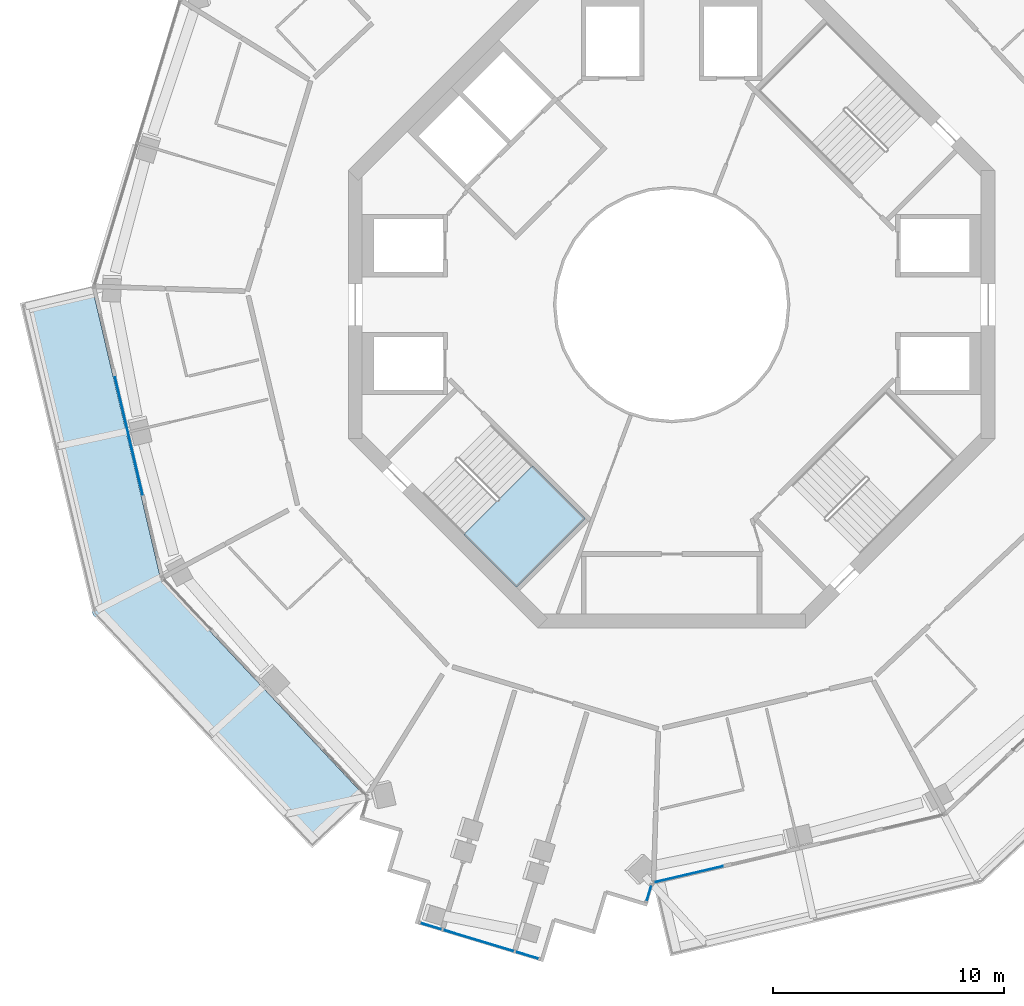
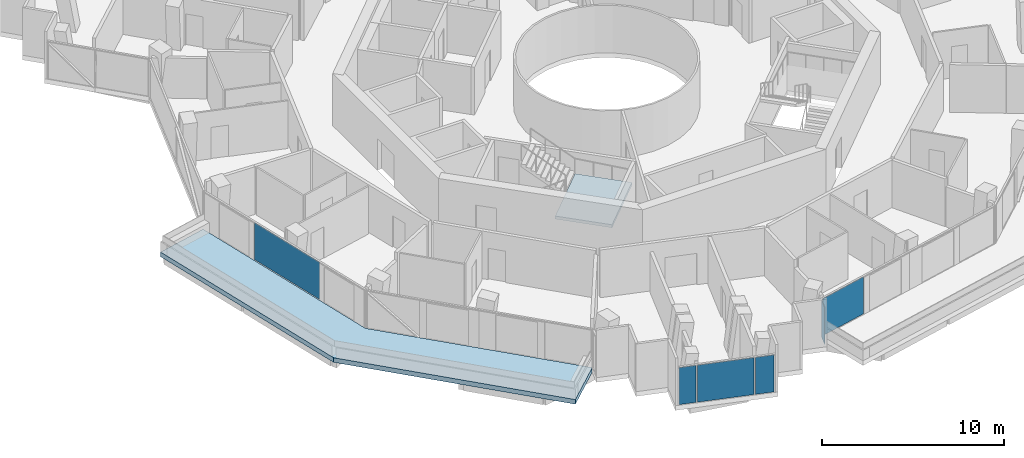
# One storey, part 12 of 24: 6 plates, 2 slabs, 5 elements without a shape of their own.
"""IFC4 building model written with IfcOpenShell, lengths in metres."""

from ifc_helpers import new_model, si_unit, direction, frame, origin, origin_2d, place, context, subcontext, project, spatial, polyline, rectangle, outline, extrude, material, layer, layer_set, type_object, element, aggregate, save


model = new_model("IFC4")

# Units and contexts
model_context = context("Model", 3, precision=1e-05, world=origin(), true_north=direction((0.0, 1.0)))
body_context = subcontext(model_context, "Body", "Model", "MODEL_VIEW")
ifc_project = project(units=[si_unit("LENGTHUNIT", "METRE"), si_unit("AREAUNIT", "SQUARE_METRE"), si_unit("VOLUMEUNIT", "CUBIC_METRE"), si_unit("PLANEANGLEUNIT", "RADIAN"), si_unit("MASSUNIT", "GRAM", prefix="KILO")], contexts=[model_context])

# Site, building, storey
site_placement = place(None, origin())
site = spatial("IfcSite", under=ifc_project, at=site_placement, CompositionType="ELEMENT")
building_placement = place(site_placement, origin())
building = spatial("IfcBuilding", under=site, at=building_placement, Name="Verdalira Terraces Hotel", CompositionType="ELEMENT")
storey_placement = place(building_placement, frame((0.0, 0.0, 209.0)))
storey = spatial("IfcBuildingStorey", under=building, at=storey_placement, Name="L51", CompositionType="ELEMENT", Elevation=209.0)

# Slab
ifc_material_1 = material(Name="Precast concrete C40/50", Category="concrete")
ifc_layer_1 = layer(ifc_material_1, 0.31005859375)
ifc_layer_set_1 = layer_set([ifc_layer_1], Name="Balcony deck 310")
slab_type_1 = type_object("IfcSlabType", Name="Balcony deck 310", PredefinedType="FLOOR", material=ifc_layer_set_1)
slab_1_placement = place(storey_placement, frame((0.0, 0.0, -0.310059)))
element("IfcSlab", 1, at=slab_1_placement, inside=storey, type_object=slab_type_1, Name="Balcony deck", PredefinedType="FLOOR", context=body_context, shape_type="SweptSolid", body=[
    extrude(outline(polyline([(-25.052734, -13.433105), (-15.56665, -23.534912), (-13.233887, -21.344238), (-22.133057, -11.867676), (-25.101562, 0.788818), (-28.217041, 0.058105), (-25.052734, -13.433105)])), origin(), (0.0, 0.0, 1.0), 0.310059),
])

# Curtain wall, plate
ifc_material_2 = material(Name="Clear glass", Category="glass")
ifc_layer_2 = layer(ifc_material_2, 0.14990234375)
ifc_layer_set_2 = layer_set([ifc_layer_2], Name="CW1 curtain wall")
curtain_wall_type_1 = type_object("IfcCurtainWallType", Name="CW1 curtain wall", PredefinedType="NOTDEFINED", material=ifc_layer_set_2)
curtain_wall_1_placement = place(storey_placement, origin())
curtain_wall_1 = element("IfcCurtainWall", 2, at=curtain_wall_1_placement, inside=storey, type_object=curtain_wall_type_1, Name="CW1 curtain wall L51 edge 12", PredefinedType="NOTDEFINED")
ifc_material_3 = material(Name="Clear glass", Category="glass")
ifc_layer_3 = layer(ifc_material_3, 0.028076171875)
ifc_layer_set_3 = layer_set([ifc_layer_3], Name="CW1 glass unit 28")
plate_type_1 = type_object("IfcPlateType", Name="CW1 glass unit 28", PredefinedType="CURTAIN_PANEL", material=ifc_layer_set_3)
plate_1_placement = place(storey_placement, frame((-23.503418, -5.696777, 0.0), z_axis=(0.0, 0.0, 1.0), x_axis=(0.22835087, -0.973578903, 0.0)))
plate_1 = element("IfcPlate", 3, at=plate_1_placement, type_object=plate_type_1, Name="CW1 glass unit", PredefinedType="CURTAIN_PANEL", context=body_context, shape_type="SweptSolid", body=[
    extrude(rectangle(XDim=5.223633, YDim=0.028076, at=origin_2d()), origin(), (0.0, 0.0, 1.0), 2.475098),
])
aggregate(curtain_wall_1, [plate_1])

curtain_wall_2_placement = place(storey_placement, origin())
curtain_wall_2 = element("IfcCurtainWall", 4, at=curtain_wall_2_placement, inside=storey, type_object=curtain_wall_type_1, Name="CW1 curtain wall L51 edge 25", PredefinedType="NOTDEFINED")
plate_2_placement = place(storey_placement, frame((0.732178, -24.667969, 0.0), z_axis=(0.0, 0.0, 1.0), x_axis=(0.973578903, 0.22835087, 0.0)))
plate_2 = element("IfcPlate", 5, at=plate_2_placement, type_object=plate_type_1, Name="CW1 glass unit", PredefinedType="CURTAIN_PANEL", context=body_context, shape_type="SweptSolid", body=[
    extrude(rectangle(XDim=3.040039, YDim=0.028076, at=origin_2d()), origin(), (0.0, 0.0, 1.0), 2.475098),
])
aggregate(curtain_wall_2, [plate_2])

ifc_material_4 = material(Name="Clear glass", Category="glass")
ifc_layer_4 = layer(ifc_material_4, 0.14990234375)
ifc_layer_set_4 = layer_set([ifc_layer_4], Name="CW2 curtain wall")
curtain_wall_type_2 = type_object("IfcCurtainWallType", Name="CW2 curtain wall", PredefinedType="NOTDEFINED", material=ifc_layer_set_4)
curtain_wall_3_placement = place(storey_placement, origin())
curtain_wall_3 = element("IfcCurtainWall", 6, at=curtain_wall_3_placement, inside=storey, type_object=curtain_wall_type_2, Name="CW2 curtain wall L51 edge 24", PredefinedType="NOTDEFINED")
ifc_material_5 = material(Name="Clear glass", Category="glass")
ifc_layer_5 = layer(ifc_material_5, 0.031982421875)
ifc_layer_set_5 = layer_set([ifc_layer_5], Name="CW2 glass unit 32")
plate_type_2 = type_object("IfcPlateType", Name="CW2 glass unit 32", PredefinedType="CURTAIN_PANEL", material=ifc_layer_set_5)
plate_3_placement = place(storey_placement, frame((-0.983398, -25.486816, 0.0), z_axis=(0.0, 0.0, 1.0), x_axis=(0.289031797, 0.957319498, 0.0)))
plate_3 = element("IfcPlate", 7, at=plate_3_placement, type_object=plate_type_2, Name="CW2 glass unit", PredefinedType="CURTAIN_PANEL", context=body_context, shape_type="SweptSolid", body=[
    extrude(rectangle(XDim=0.709961, YDim=0.031982, at=origin_2d()), origin(), (0.0, 0.0, 1.0), 2.475098),
])
aggregate(curtain_wall_3, [plate_3])

# Curtain wall, plates
ifc_material_6 = material(Name="Clear glass", Category="glass")
ifc_layer_6 = layer(ifc_material_6, 0.14990234375)
ifc_layer_set_6 = layer_set([ifc_layer_6], Name="CW3 curtain wall")
curtain_wall_type_3 = type_object("IfcCurtainWallType", Name="CW3 curtain wall", PredefinedType="NOTDEFINED", material=ifc_layer_set_6)
curtain_wall_4_placement = place(storey_placement, origin())
curtain_wall_4 = element("IfcCurtainWall", 8, at=curtain_wall_4_placement, inside=storey, type_object=curtain_wall_type_3, Name="CW3 curtain wall L51 edge 19", PredefinedType="NOTDEFINED")
ifc_material_7 = material(Name="Clear glass", Category="glass")
ifc_layer_7 = layer(ifc_material_7, 0.035888671875)
ifc_layer_set_7 = layer_set([ifc_layer_7], Name="CW3 glass unit 36")
plate_type_3 = type_object("IfcPlateType", Name="CW3 glass unit 36", PredefinedType="CURTAIN_PANEL", material=ifc_layer_set_7)
plate_4_placement = place(storey_placement, frame((-10.418457, -26.921143, 0.0), z_axis=(0.0, 0.0, 1.0), x_axis=(0.957319498, -0.289031797, 0.0)))
plate_4 = element("IfcPlate", 9, at=plate_4_placement, type_object=plate_type_3, Name="CW3 glass unit", PredefinedType="CURTAIN_PANEL", context=body_context, shape_type="SweptSolid", body=[
    extrude(rectangle(XDim=0.954346, YDim=0.035889, at=origin_2d()), origin(), (0.0, 0.0, 1.0), 2.475098),
])
plate_5_placement = place(storey_placement, frame((-8.36084, -27.542236, 0.0), z_axis=(0.0, 0.0, 1.0), x_axis=(0.957319498, -0.289031797, 0.0)))
plate_5 = element("IfcPlate", 10, at=plate_5_placement, type_object=plate_type_3, Name="CW3 glass unit", PredefinedType="CURTAIN_PANEL", context=body_context, shape_type="SweptSolid", body=[
    extrude(rectangle(XDim=3.18457, YDim=0.035889, at=origin_2d()), origin(), (0.0, 0.0, 1.0), 2.475098),
])
plate_6_placement = place(storey_placement, frame((-6.261475, -28.176025, 0.0), z_axis=(0.0, 0.0, 1.0), x_axis=(0.957319498, -0.289031797, 0.0)))
plate_6 = element("IfcPlate", 11, at=plate_6_placement, type_object=plate_type_3, Name="CW3 glass unit", PredefinedType="CURTAIN_PANEL", context=body_context, shape_type="SweptSolid", body=[
    extrude(rectangle(XDim=1.041016, YDim=0.035889, at=origin_2d()), origin(), (0.0, 0.0, 1.0), 2.475098),
])
aggregate(curtain_wall_4, [plate_4, plate_5, plate_6])

# Stair, slab
ifc_material_8 = material(Name="Concrete C40", Category="concrete")
stair_type = type_object("IfcStairType", Name="Core stair 20 risers 2050 mm wide", PredefinedType="HALF_TURN_STAIR", material=ifc_material_8)
stair_placement = place(storey_placement, origin())
stair = element("IfcStair", 12, at=stair_placement, inside=storey, type_object=stair_type, Name="L51 Exit stair ST2", PredefinedType="HALF_TURN_STAIR")
ifc_material_9 = material(Name="Concrete C40", Category="concrete")
ifc_layer_8 = layer(ifc_material_9, 0.199951171875)
ifc_layer_set_8 = layer_set([ifc_layer_8], Name="Core stair landing 200 mm")
slab_type_2 = type_object("IfcSlabType", Name="Core stair landing 200 mm", PredefinedType="LANDING", material=ifc_layer_set_8)
slab_2_placement = place(storey_placement, frame((0.0, 0.0, 1.550049)))
slab_2 = element("IfcSlab", 13, at=slab_2_placement, type_object=slab_type_2, Name="ST2 landing 1", PredefinedType="LANDING", context=body_context, shape_type="SweptSolid", body=[
    extrude(outline(polyline([(-9.001709, -9.94873), (-6.717529, -12.23291), (-3.747559, -9.263184), (-6.031982, -6.97876), (-9.001709, -9.94873)])), origin(), (0.0, 0.0, 1.0), 0.199951),
])
aggregate(stair, [slab_2])

save(model, "model.ifc")
